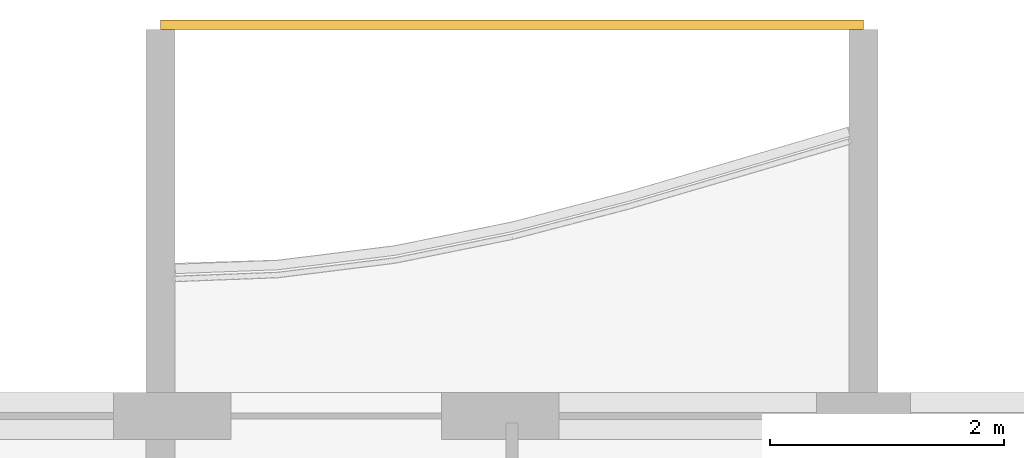
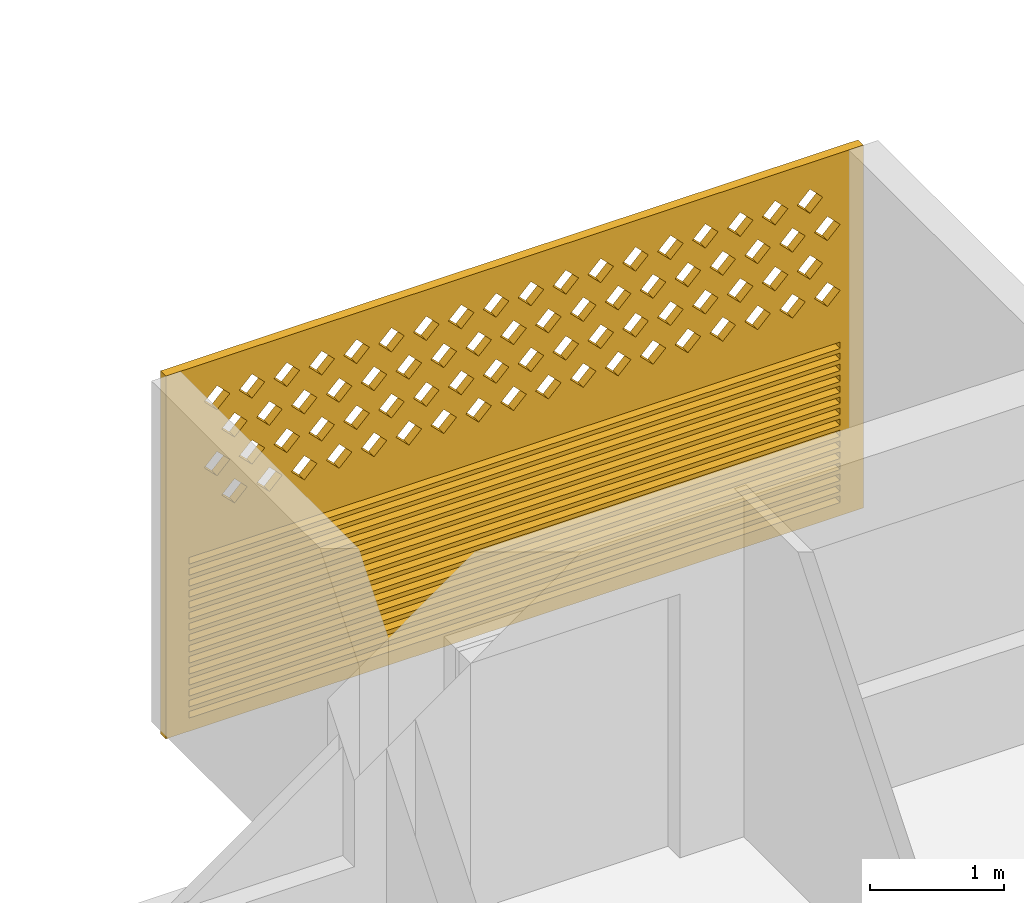
# One storey, part 23 of 27: 1 covering.
"""IFC4 building model written with IfcOpenShell, lengths in metres."""

from ifc_helpers import new_model, si_unit, direction, frame, origin, place, context, subcontext, project, spatial, polyline, outline, extrude, source, transform, mapped, material, material_profile, profile_set, type_object, element, save


model = new_model("IFC4")

# Units and contexts
model_context = context("Model", 3, precision=1e-05, world=origin(), true_north=direction((0.0, 1.0)))
body_context = subcontext(model_context, "Body", "Model", "MODEL_VIEW")
ifc_project = project(units=[si_unit("LENGTHUNIT", "METRE"), si_unit("AREAUNIT", "SQUARE_METRE"), si_unit("VOLUMEUNIT", "CUBIC_METRE"), si_unit("PLANEANGLEUNIT", "RADIAN"), si_unit("MASSUNIT", "GRAM", prefix="KILO")], contexts=[model_context])

# Site, building, storey
site_placement = place(None, origin())
site = spatial("IfcSite", under=ifc_project, at=site_placement, CompositionType="ELEMENT")
building_placement = place(site_placement, origin())
building = spatial("IfcBuilding", under=site, at=building_placement, Name="Poui Terraces", CompositionType="ELEMENT")
storey_placement = place(building_placement, frame((0.0, 0.0, 195.0)))
storey = spatial("IfcBuildingStorey", under=building, at=storey_placement, Name="L54", CompositionType="ELEMENT", Elevation=195.0)

# Covering
ifc_material = material(Name="Terracotta screen", Category="masonry")
ifc_material_profile = material_profile(ifc_material, outline(polyline([(-3.0, -1.64990234375), (3.0, -1.64990234375), (3.0, 1.64990234375), (-3.0, 1.64990234375), (-3.0, -1.64990234375)]), holes=[polyline([(-2.800048828125, 0.39990234375), (-2.68994140625, 0.2900390625), (-2.580078125, 0.39990234375), (-2.68994140625, 0.510009765625), (-2.800048828125, 0.39990234375)]), polyline([(-2.5, 0.39990234375), (-2.389892578125, 0.2900390625), (-2.280029296875, 0.39990234375), (-2.389892578125, 0.510009765625), (-2.5, 0.39990234375)]), polyline([(-2.199951171875, 0.39990234375), (-2.090087890625, 0.2900390625), (-1.97998046875, 0.39990234375), (-2.090087890625, 0.510009765625), (-2.199951171875, 0.39990234375)]), polyline([(-1.89990234375, 0.39990234375), (-1.7900390625, 0.2900390625), (-1.679931640625, 0.39990234375), (-1.7900390625, 0.510009765625), (-1.89990234375, 0.39990234375)]), polyline([(-1.60009765625, 0.39990234375), (-1.489990234375, 0.2900390625), (-1.3798828125, 0.39990234375), (-1.489990234375, 0.510009765625), (-1.60009765625, 0.39990234375)]), polyline([(-1.300048828125, 0.39990234375), (-1.18994140625, 0.2900390625), (-1.080078125, 0.39990234375), (-1.18994140625, 0.510009765625), (-1.300048828125, 0.39990234375)]), polyline([(-1.0, 0.39990234375), (-0.889892578125, 0.2900390625), (-0.780029296875, 0.39990234375), (-0.889892578125, 0.510009765625), (-1.0, 0.39990234375)]), polyline([(-0.699951171875, 0.39990234375), (-0.590087890625, 0.2900390625), (-0.47998046875, 0.39990234375), (-0.590087890625, 0.510009765625), (-0.699951171875, 0.39990234375)]), polyline([(-0.39990234375, 0.39990234375), (-0.2900390625, 0.2900390625), (-0.179931640625, 0.39990234375), (-0.2900390625, 0.510009765625), (-0.39990234375, 0.39990234375)]), polyline([(-0.10009765625, 0.39990234375), (0.010009765625, 0.2900390625), (0.1201171875, 0.39990234375), (0.010009765625, 0.510009765625), (-0.10009765625, 0.39990234375)]), polyline([(0.199951171875, 0.39990234375), (0.31005859375, 0.2900390625), (0.419921875, 0.39990234375), (0.31005859375, 0.510009765625), (0.199951171875, 0.39990234375)]), polyline([(0.5, 0.39990234375), (0.610107421875, 0.2900390625), (0.719970703125, 0.39990234375), (0.610107421875, 0.510009765625), (0.5, 0.39990234375)]), polyline([(0.800048828125, 0.39990234375), (0.909912109375, 0.2900390625), (1.02001953125, 0.39990234375), (0.909912109375, 0.510009765625), (0.800048828125, 0.39990234375)]), polyline([(1.10009765625, 0.39990234375), (1.2099609375, 0.2900390625), (1.320068359375, 0.39990234375), (1.2099609375, 0.510009765625), (1.10009765625, 0.39990234375)]), polyline([(1.39990234375, 0.39990234375), (1.510009765625, 0.2900390625), (1.6201171875, 0.39990234375), (1.510009765625, 0.510009765625), (1.39990234375, 0.39990234375)]), polyline([(1.699951171875, 0.39990234375), (1.81005859375, 0.2900390625), (1.919921875, 0.39990234375), (1.81005859375, 0.510009765625), (1.699951171875, 0.39990234375)]), polyline([(2.0, 0.39990234375), (2.110107421875, 0.2900390625), (2.219970703125, 0.39990234375), (2.110107421875, 0.510009765625), (2.0, 0.39990234375)]), polyline([(2.300048828125, 0.39990234375), (2.409912109375, 0.2900390625), (2.52001953125, 0.39990234375), (2.409912109375, 0.510009765625), (2.300048828125, 0.39990234375)]), polyline([(-2.64990234375, 0.699951171875), (-2.5400390625, 0.590087890625), (-2.429931640625, 0.699951171875), (-2.5400390625, 0.81005859375), (-2.64990234375, 0.699951171875)]), polyline([(-2.35009765625, 0.699951171875), (-2.239990234375, 0.590087890625), (-2.1298828125, 0.699951171875), (-2.239990234375, 0.81005859375), (-2.35009765625, 0.699951171875)]), polyline([(-2.050048828125, 0.699951171875), (-1.93994140625, 0.590087890625), (-1.830078125, 0.699951171875), (-1.93994140625, 0.81005859375), (-2.050048828125, 0.699951171875)]), polyline([(-1.75, 0.699951171875), (-1.639892578125, 0.590087890625), (-1.530029296875, 0.699951171875), (-1.639892578125, 0.81005859375), (-1.75, 0.699951171875)]), polyline([(-1.449951171875, 0.699951171875), (-1.340087890625, 0.590087890625), (-1.22998046875, 0.699951171875), (-1.340087890625, 0.81005859375), (-1.449951171875, 0.699951171875)]), polyline([(-1.14990234375, 0.699951171875), (-1.0400390625, 0.590087890625), (-0.929931640625, 0.699951171875), (-1.0400390625, 0.81005859375), (-1.14990234375, 0.699951171875)]), polyline([(-0.85009765625, 0.699951171875), (-0.739990234375, 0.590087890625), (-0.6298828125, 0.699951171875), (-0.739990234375, 0.81005859375), (-0.85009765625, 0.699951171875)]), polyline([(-0.550048828125, 0.699951171875), (-0.43994140625, 0.590087890625), (-0.330078125, 0.699951171875), (-0.43994140625, 0.81005859375), (-0.550048828125, 0.699951171875)]), polyline([(-0.25, 0.699951171875), (-0.139892578125, 0.590087890625), (-0.030029296875, 0.699951171875), (-0.139892578125, 0.81005859375), (-0.25, 0.699951171875)]), polyline([(0.050048828125, 0.699951171875), (0.159912109375, 0.590087890625), (0.27001953125, 0.699951171875), (0.159912109375, 0.81005859375), (0.050048828125, 0.699951171875)]), polyline([(0.35009765625, 0.699951171875), (0.4599609375, 0.590087890625), (0.570068359375, 0.699951171875), (0.4599609375, 0.81005859375), (0.35009765625, 0.699951171875)]), polyline([(0.64990234375, 0.699951171875), (0.760009765625, 0.590087890625), (0.8701171875, 0.699951171875), (0.760009765625, 0.81005859375), (0.64990234375, 0.699951171875)]), polyline([(0.949951171875, 0.699951171875), (1.06005859375, 0.590087890625), (1.169921875, 0.699951171875), (1.06005859375, 0.81005859375), (0.949951171875, 0.699951171875)]), polyline([(1.25, 0.699951171875), (1.360107421875, 0.590087890625), (1.469970703125, 0.699951171875), (1.360107421875, 0.81005859375), (1.25, 0.699951171875)]), polyline([(1.550048828125, 0.699951171875), (1.659912109375, 0.590087890625), (1.77001953125, 0.699951171875), (1.659912109375, 0.81005859375), (1.550048828125, 0.699951171875)]), polyline([(1.85009765625, 0.699951171875), (1.9599609375, 0.590087890625), (2.070068359375, 0.699951171875), (1.9599609375, 0.81005859375), (1.85009765625, 0.699951171875)]), polyline([(2.14990234375, 0.699951171875), (2.260009765625, 0.590087890625), (2.3701171875, 0.699951171875), (2.260009765625, 0.81005859375), (2.14990234375, 0.699951171875)]), polyline([(2.449951171875, 0.699951171875), (2.56005859375, 0.590087890625), (2.669921875, 0.699951171875), (2.56005859375, 0.81005859375), (2.449951171875, 0.699951171875)]), polyline([(-2.800048828125, 1.0), (-2.68994140625, 0.889892578125), (-2.580078125, 1.0), (-2.68994140625, 1.110107421875), (-2.800048828125, 1.0)]), polyline([(-2.5, 1.0), (-2.389892578125, 0.889892578125), (-2.280029296875, 1.0), (-2.389892578125, 1.110107421875), (-2.5, 1.0)]), polyline([(-2.199951171875, 1.0), (-2.090087890625, 0.889892578125), (-1.97998046875, 1.0), (-2.090087890625, 1.110107421875), (-2.199951171875, 1.0)]), polyline([(-1.89990234375, 1.0), (-1.7900390625, 0.889892578125), (-1.679931640625, 1.0), (-1.7900390625, 1.110107421875), (-1.89990234375, 1.0)]), polyline([(-1.60009765625, 1.0), (-1.489990234375, 0.889892578125), (-1.3798828125, 1.0), (-1.489990234375, 1.110107421875), (-1.60009765625, 1.0)]), polyline([(-1.300048828125, 1.0), (-1.18994140625, 0.889892578125), (-1.080078125, 1.0), (-1.18994140625, 1.110107421875), (-1.300048828125, 1.0)]), polyline([(-1.0, 1.0), (-0.889892578125, 0.889892578125), (-0.780029296875, 1.0), (-0.889892578125, 1.110107421875), (-1.0, 1.0)]), polyline([(-0.699951171875, 1.0), (-0.590087890625, 0.889892578125), (-0.47998046875, 1.0), (-0.590087890625, 1.110107421875), (-0.699951171875, 1.0)]), polyline([(-0.39990234375, 1.0), (-0.2900390625, 0.889892578125), (-0.179931640625, 1.0), (-0.2900390625, 1.110107421875), (-0.39990234375, 1.0)]), polyline([(-0.10009765625, 1.0), (0.010009765625, 0.889892578125), (0.1201171875, 1.0), (0.010009765625, 1.110107421875), (-0.10009765625, 1.0)]), polyline([(0.199951171875, 1.0), (0.31005859375, 0.889892578125), (0.419921875, 1.0), (0.31005859375, 1.110107421875), (0.199951171875, 1.0)]), polyline([(0.5, 1.0), (0.610107421875, 0.889892578125), (0.719970703125, 1.0), (0.610107421875, 1.110107421875), (0.5, 1.0)]), polyline([(0.800048828125, 1.0), (0.909912109375, 0.889892578125), (1.02001953125, 1.0), (0.909912109375, 1.110107421875), (0.800048828125, 1.0)]), polyline([(1.10009765625, 1.0), (1.2099609375, 0.889892578125), (1.320068359375, 1.0), (1.2099609375, 1.110107421875), (1.10009765625, 1.0)]), polyline([(1.39990234375, 1.0), (1.510009765625, 0.889892578125), (1.6201171875, 1.0), (1.510009765625, 1.110107421875), (1.39990234375, 1.0)]), polyline([(1.699951171875, 1.0), (1.81005859375, 0.889892578125), (1.919921875, 1.0), (1.81005859375, 1.110107421875), (1.699951171875, 1.0)]), polyline([(2.0, 1.0), (2.110107421875, 0.889892578125), (2.219970703125, 1.0), (2.110107421875, 1.110107421875), (2.0, 1.0)]), polyline([(2.300048828125, 1.0), (2.409912109375, 0.889892578125), (2.52001953125, 1.0), (2.409912109375, 1.110107421875), (2.300048828125, 1.0)]), polyline([(-2.64990234375, 1.300048828125), (-2.5400390625, 1.18994140625), (-2.429931640625, 1.300048828125), (-2.5400390625, 1.409912109375), (-2.64990234375, 1.300048828125)]), polyline([(-2.35009765625, 1.300048828125), (-2.239990234375, 1.18994140625), (-2.1298828125, 1.300048828125), (-2.239990234375, 1.409912109375), (-2.35009765625, 1.300048828125)]), polyline([(-2.050048828125, 1.300048828125), (-1.93994140625, 1.18994140625), (-1.830078125, 1.300048828125), (-1.93994140625, 1.409912109375), (-2.050048828125, 1.300048828125)]), polyline([(-1.75, 1.300048828125), (-1.639892578125, 1.18994140625), (-1.530029296875, 1.300048828125), (-1.639892578125, 1.409912109375), (-1.75, 1.300048828125)]), polyline([(-1.449951171875, 1.300048828125), (-1.340087890625, 1.18994140625), (-1.22998046875, 1.300048828125), (-1.340087890625, 1.409912109375), (-1.449951171875, 1.300048828125)]), polyline([(-1.14990234375, 1.300048828125), (-1.0400390625, 1.18994140625), (-0.929931640625, 1.300048828125), (-1.0400390625, 1.409912109375), (-1.14990234375, 1.300048828125)]), polyline([(-0.85009765625, 1.300048828125), (-0.739990234375, 1.18994140625), (-0.6298828125, 1.300048828125), (-0.739990234375, 1.409912109375), (-0.85009765625, 1.300048828125)]), polyline([(-0.550048828125, 1.300048828125), (-0.43994140625, 1.18994140625), (-0.330078125, 1.300048828125), (-0.43994140625, 1.409912109375), (-0.550048828125, 1.300048828125)]), polyline([(-0.25, 1.300048828125), (-0.139892578125, 1.18994140625), (-0.030029296875, 1.300048828125), (-0.139892578125, 1.409912109375), (-0.25, 1.300048828125)]), polyline([(0.050048828125, 1.300048828125), (0.159912109375, 1.18994140625), (0.27001953125, 1.300048828125), (0.159912109375, 1.409912109375), (0.050048828125, 1.300048828125)]), polyline([(0.35009765625, 1.300048828125), (0.4599609375, 1.18994140625), (0.570068359375, 1.300048828125), (0.4599609375, 1.409912109375), (0.35009765625, 1.300048828125)]), polyline([(0.64990234375, 1.300048828125), (0.760009765625, 1.18994140625), (0.8701171875, 1.300048828125), (0.760009765625, 1.409912109375), (0.64990234375, 1.300048828125)]), polyline([(0.949951171875, 1.300048828125), (1.06005859375, 1.18994140625), (1.169921875, 1.300048828125), (1.06005859375, 1.409912109375), (0.949951171875, 1.300048828125)]), polyline([(1.25, 1.300048828125), (1.360107421875, 1.18994140625), (1.469970703125, 1.300048828125), (1.360107421875, 1.409912109375), (1.25, 1.300048828125)]), polyline([(1.550048828125, 1.300048828125), (1.659912109375, 1.18994140625), (1.77001953125, 1.300048828125), (1.659912109375, 1.409912109375), (1.550048828125, 1.300048828125)]), polyline([(1.85009765625, 1.300048828125), (1.9599609375, 1.18994140625), (2.070068359375, 1.300048828125), (1.9599609375, 1.409912109375), (1.85009765625, 1.300048828125)]), polyline([(2.14990234375, 1.300048828125), (2.260009765625, 1.18994140625), (2.3701171875, 1.300048828125), (2.260009765625, 1.409912109375), (2.14990234375, 1.300048828125)]), polyline([(2.449951171875, 1.300048828125), (2.56005859375, 1.18994140625), (2.669921875, 1.300048828125), (2.56005859375, 1.409912109375), (2.449951171875, 1.300048828125)]), polyline([(-2.800048828125, -1.530029296875), (2.800048828125, -1.530029296875), (2.800048828125, -1.469970703125), (-2.800048828125, -1.469970703125), (-2.800048828125, -1.530029296875)]), polyline([(-2.800048828125, -1.429931640625), (2.800048828125, -1.429931640625), (2.800048828125, -1.3701171875), (-2.800048828125, -1.3701171875), (-2.800048828125, -1.429931640625)]), polyline([(-2.800048828125, -1.330078125), (2.800048828125, -1.330078125), (2.800048828125, -1.27001953125), (-2.800048828125, -1.27001953125), (-2.800048828125, -1.330078125)]), polyline([(-2.800048828125, -1.22998046875), (2.800048828125, -1.22998046875), (2.800048828125, -1.169921875), (-2.800048828125, -1.169921875), (-2.800048828125, -1.22998046875)]), polyline([(-2.800048828125, -1.1298828125), (2.800048828125, -1.1298828125), (2.800048828125, -1.070068359375), (-2.800048828125, -1.070068359375), (-2.800048828125, -1.1298828125)]), polyline([(-2.800048828125, -1.030029296875), (2.800048828125, -1.030029296875), (2.800048828125, -0.969970703125), (-2.800048828125, -0.969970703125), (-2.800048828125, -1.030029296875)]), polyline([(-2.800048828125, -0.929931640625), (2.800048828125, -0.929931640625), (2.800048828125, -0.8701171875), (-2.800048828125, -0.8701171875), (-2.800048828125, -0.929931640625)]), polyline([(-2.800048828125, -0.830078125), (2.800048828125, -0.830078125), (2.800048828125, -0.77001953125), (-2.800048828125, -0.77001953125), (-2.800048828125, -0.830078125)]), polyline([(-2.800048828125, -0.72998046875), (2.800048828125, -0.72998046875), (2.800048828125, -0.669921875), (-2.800048828125, -0.669921875), (-2.800048828125, -0.72998046875)]), polyline([(-2.800048828125, -0.6298828125), (2.800048828125, -0.6298828125), (2.800048828125, -0.570068359375), (-2.800048828125, -0.570068359375), (-2.800048828125, -0.6298828125)]), polyline([(-2.800048828125, -0.530029296875), (2.800048828125, -0.530029296875), (2.800048828125, -0.469970703125), (-2.800048828125, -0.469970703125), (-2.800048828125, -0.530029296875)]), polyline([(-2.800048828125, -0.429931640625), (2.800048828125, -0.429931640625), (2.800048828125, -0.3701171875), (-2.800048828125, -0.3701171875), (-2.800048828125, -0.429931640625)]), polyline([(-2.800048828125, -0.330078125), (2.800048828125, -0.330078125), (2.800048828125, -0.27001953125), (-2.800048828125, -0.27001953125), (-2.800048828125, -0.330078125)]), polyline([(-2.800048828125, -0.22998046875), (2.800048828125, -0.22998046875), (2.800048828125, -0.169921875), (-2.800048828125, -0.169921875), (-2.800048828125, -0.22998046875)]), polyline([(-2.800048828125, -0.1298828125), (2.800048828125, -0.1298828125), (2.800048828125, -0.070068359375), (-2.800048828125, -0.070068359375), (-2.800048828125, -0.1298828125)])]), Name="TERRACOTTA SCREEN AND JALOUSIE LOUVRE 6000X3300")
ifc_profile_set = profile_set([ifc_material_profile], Name="Terracotta screen")
covering_type = type_object("IfcCoveringType", Name="TERRACOTTA SCREEN AND JALOUSIE LOUVRE 6000X3300", PredefinedType="CLADDING", material=ifc_profile_set)
shared_shape = source(origin(), body_context, "Body", "SweptSolid", [
    extrude(outline(polyline([(-3.0, -1.64990234375), (3.0, -1.64990234375), (3.0, 1.64990234375), (-3.0, 1.64990234375), (-3.0, -1.64990234375)]), holes=[polyline([(-2.800048828125, 0.39990234375), (-2.68994140625, 0.2900390625), (-2.580078125, 0.39990234375), (-2.68994140625, 0.510009765625), (-2.800048828125, 0.39990234375)]), polyline([(-2.5, 0.39990234375), (-2.389892578125, 0.2900390625), (-2.280029296875, 0.39990234375), (-2.389892578125, 0.510009765625), (-2.5, 0.39990234375)]), polyline([(-2.199951171875, 0.39990234375), (-2.090087890625, 0.2900390625), (-1.97998046875, 0.39990234375), (-2.090087890625, 0.510009765625), (-2.199951171875, 0.39990234375)]), polyline([(-1.89990234375, 0.39990234375), (-1.7900390625, 0.2900390625), (-1.679931640625, 0.39990234375), (-1.7900390625, 0.510009765625), (-1.89990234375, 0.39990234375)]), polyline([(-1.60009765625, 0.39990234375), (-1.489990234375, 0.2900390625), (-1.3798828125, 0.39990234375), (-1.489990234375, 0.510009765625), (-1.60009765625, 0.39990234375)]), polyline([(-1.300048828125, 0.39990234375), (-1.18994140625, 0.2900390625), (-1.080078125, 0.39990234375), (-1.18994140625, 0.510009765625), (-1.300048828125, 0.39990234375)]), polyline([(-1.0, 0.39990234375), (-0.889892578125, 0.2900390625), (-0.780029296875, 0.39990234375), (-0.889892578125, 0.510009765625), (-1.0, 0.39990234375)]), polyline([(-0.699951171875, 0.39990234375), (-0.590087890625, 0.2900390625), (-0.47998046875, 0.39990234375), (-0.590087890625, 0.510009765625), (-0.699951171875, 0.39990234375)]), polyline([(-0.39990234375, 0.39990234375), (-0.2900390625, 0.2900390625), (-0.179931640625, 0.39990234375), (-0.2900390625, 0.510009765625), (-0.39990234375, 0.39990234375)]), polyline([(-0.10009765625, 0.39990234375), (0.010009765625, 0.2900390625), (0.1201171875, 0.39990234375), (0.010009765625, 0.510009765625), (-0.10009765625, 0.39990234375)]), polyline([(0.199951171875, 0.39990234375), (0.31005859375, 0.2900390625), (0.419921875, 0.39990234375), (0.31005859375, 0.510009765625), (0.199951171875, 0.39990234375)]), polyline([(0.5, 0.39990234375), (0.610107421875, 0.2900390625), (0.719970703125, 0.39990234375), (0.610107421875, 0.510009765625), (0.5, 0.39990234375)]), polyline([(0.800048828125, 0.39990234375), (0.909912109375, 0.2900390625), (1.02001953125, 0.39990234375), (0.909912109375, 0.510009765625), (0.800048828125, 0.39990234375)]), polyline([(1.10009765625, 0.39990234375), (1.2099609375, 0.2900390625), (1.320068359375, 0.39990234375), (1.2099609375, 0.510009765625), (1.10009765625, 0.39990234375)]), polyline([(1.39990234375, 0.39990234375), (1.510009765625, 0.2900390625), (1.6201171875, 0.39990234375), (1.510009765625, 0.510009765625), (1.39990234375, 0.39990234375)]), polyline([(1.699951171875, 0.39990234375), (1.81005859375, 0.2900390625), (1.919921875, 0.39990234375), (1.81005859375, 0.510009765625), (1.699951171875, 0.39990234375)]), polyline([(2.0, 0.39990234375), (2.110107421875, 0.2900390625), (2.219970703125, 0.39990234375), (2.110107421875, 0.510009765625), (2.0, 0.39990234375)]), polyline([(2.300048828125, 0.39990234375), (2.409912109375, 0.2900390625), (2.52001953125, 0.39990234375), (2.409912109375, 0.510009765625), (2.300048828125, 0.39990234375)]), polyline([(-2.64990234375, 0.699951171875), (-2.5400390625, 0.590087890625), (-2.429931640625, 0.699951171875), (-2.5400390625, 0.81005859375), (-2.64990234375, 0.699951171875)]), polyline([(-2.35009765625, 0.699951171875), (-2.239990234375, 0.590087890625), (-2.1298828125, 0.699951171875), (-2.239990234375, 0.81005859375), (-2.35009765625, 0.699951171875)]), polyline([(-2.050048828125, 0.699951171875), (-1.93994140625, 0.590087890625), (-1.830078125, 0.699951171875), (-1.93994140625, 0.81005859375), (-2.050048828125, 0.699951171875)]), polyline([(-1.75, 0.699951171875), (-1.639892578125, 0.590087890625), (-1.530029296875, 0.699951171875), (-1.639892578125, 0.81005859375), (-1.75, 0.699951171875)]), polyline([(-1.449951171875, 0.699951171875), (-1.340087890625, 0.590087890625), (-1.22998046875, 0.699951171875), (-1.340087890625, 0.81005859375), (-1.449951171875, 0.699951171875)]), polyline([(-1.14990234375, 0.699951171875), (-1.0400390625, 0.590087890625), (-0.929931640625, 0.699951171875), (-1.0400390625, 0.81005859375), (-1.14990234375, 0.699951171875)]), polyline([(-0.85009765625, 0.699951171875), (-0.739990234375, 0.590087890625), (-0.6298828125, 0.699951171875), (-0.739990234375, 0.81005859375), (-0.85009765625, 0.699951171875)]), polyline([(-0.550048828125, 0.699951171875), (-0.43994140625, 0.590087890625), (-0.330078125, 0.699951171875), (-0.43994140625, 0.81005859375), (-0.550048828125, 0.699951171875)]), polyline([(-0.25, 0.699951171875), (-0.139892578125, 0.590087890625), (-0.030029296875, 0.699951171875), (-0.139892578125, 0.81005859375), (-0.25, 0.699951171875)]), polyline([(0.050048828125, 0.699951171875), (0.159912109375, 0.590087890625), (0.27001953125, 0.699951171875), (0.159912109375, 0.81005859375), (0.050048828125, 0.699951171875)]), polyline([(0.35009765625, 0.699951171875), (0.4599609375, 0.590087890625), (0.570068359375, 0.699951171875), (0.4599609375, 0.81005859375), (0.35009765625, 0.699951171875)]), polyline([(0.64990234375, 0.699951171875), (0.760009765625, 0.590087890625), (0.8701171875, 0.699951171875), (0.760009765625, 0.81005859375), (0.64990234375, 0.699951171875)]), polyline([(0.949951171875, 0.699951171875), (1.06005859375, 0.590087890625), (1.169921875, 0.699951171875), (1.06005859375, 0.81005859375), (0.949951171875, 0.699951171875)]), polyline([(1.25, 0.699951171875), (1.360107421875, 0.590087890625), (1.469970703125, 0.699951171875), (1.360107421875, 0.81005859375), (1.25, 0.699951171875)]), polyline([(1.550048828125, 0.699951171875), (1.659912109375, 0.590087890625), (1.77001953125, 0.699951171875), (1.659912109375, 0.81005859375), (1.550048828125, 0.699951171875)]), polyline([(1.85009765625, 0.699951171875), (1.9599609375, 0.590087890625), (2.070068359375, 0.699951171875), (1.9599609375, 0.81005859375), (1.85009765625, 0.699951171875)]), polyline([(2.14990234375, 0.699951171875), (2.260009765625, 0.590087890625), (2.3701171875, 0.699951171875), (2.260009765625, 0.81005859375), (2.14990234375, 0.699951171875)]), polyline([(2.449951171875, 0.699951171875), (2.56005859375, 0.590087890625), (2.669921875, 0.699951171875), (2.56005859375, 0.81005859375), (2.449951171875, 0.699951171875)]), polyline([(-2.800048828125, 1.0), (-2.68994140625, 0.889892578125), (-2.580078125, 1.0), (-2.68994140625, 1.110107421875), (-2.800048828125, 1.0)]), polyline([(-2.5, 1.0), (-2.389892578125, 0.889892578125), (-2.280029296875, 1.0), (-2.389892578125, 1.110107421875), (-2.5, 1.0)]), polyline([(-2.199951171875, 1.0), (-2.090087890625, 0.889892578125), (-1.97998046875, 1.0), (-2.090087890625, 1.110107421875), (-2.199951171875, 1.0)]), polyline([(-1.89990234375, 1.0), (-1.7900390625, 0.889892578125), (-1.679931640625, 1.0), (-1.7900390625, 1.110107421875), (-1.89990234375, 1.0)]), polyline([(-1.60009765625, 1.0), (-1.489990234375, 0.889892578125), (-1.3798828125, 1.0), (-1.489990234375, 1.110107421875), (-1.60009765625, 1.0)]), polyline([(-1.300048828125, 1.0), (-1.18994140625, 0.889892578125), (-1.080078125, 1.0), (-1.18994140625, 1.110107421875), (-1.300048828125, 1.0)]), polyline([(-1.0, 1.0), (-0.889892578125, 0.889892578125), (-0.780029296875, 1.0), (-0.889892578125, 1.110107421875), (-1.0, 1.0)]), polyline([(-0.699951171875, 1.0), (-0.590087890625, 0.889892578125), (-0.47998046875, 1.0), (-0.590087890625, 1.110107421875), (-0.699951171875, 1.0)]), polyline([(-0.39990234375, 1.0), (-0.2900390625, 0.889892578125), (-0.179931640625, 1.0), (-0.2900390625, 1.110107421875), (-0.39990234375, 1.0)]), polyline([(-0.10009765625, 1.0), (0.010009765625, 0.889892578125), (0.1201171875, 1.0), (0.010009765625, 1.110107421875), (-0.10009765625, 1.0)]), polyline([(0.199951171875, 1.0), (0.31005859375, 0.889892578125), (0.419921875, 1.0), (0.31005859375, 1.110107421875), (0.199951171875, 1.0)]), polyline([(0.5, 1.0), (0.610107421875, 0.889892578125), (0.719970703125, 1.0), (0.610107421875, 1.110107421875), (0.5, 1.0)]), polyline([(0.800048828125, 1.0), (0.909912109375, 0.889892578125), (1.02001953125, 1.0), (0.909912109375, 1.110107421875), (0.800048828125, 1.0)]), polyline([(1.10009765625, 1.0), (1.2099609375, 0.889892578125), (1.320068359375, 1.0), (1.2099609375, 1.110107421875), (1.10009765625, 1.0)]), polyline([(1.39990234375, 1.0), (1.510009765625, 0.889892578125), (1.6201171875, 1.0), (1.510009765625, 1.110107421875), (1.39990234375, 1.0)]), polyline([(1.699951171875, 1.0), (1.81005859375, 0.889892578125), (1.919921875, 1.0), (1.81005859375, 1.110107421875), (1.699951171875, 1.0)]), polyline([(2.0, 1.0), (2.110107421875, 0.889892578125), (2.219970703125, 1.0), (2.110107421875, 1.110107421875), (2.0, 1.0)]), polyline([(2.300048828125, 1.0), (2.409912109375, 0.889892578125), (2.52001953125, 1.0), (2.409912109375, 1.110107421875), (2.300048828125, 1.0)]), polyline([(-2.64990234375, 1.300048828125), (-2.5400390625, 1.18994140625), (-2.429931640625, 1.300048828125), (-2.5400390625, 1.409912109375), (-2.64990234375, 1.300048828125)]), polyline([(-2.35009765625, 1.300048828125), (-2.239990234375, 1.18994140625), (-2.1298828125, 1.300048828125), (-2.239990234375, 1.409912109375), (-2.35009765625, 1.300048828125)]), polyline([(-2.050048828125, 1.300048828125), (-1.93994140625, 1.18994140625), (-1.830078125, 1.300048828125), (-1.93994140625, 1.409912109375), (-2.050048828125, 1.300048828125)]), polyline([(-1.75, 1.300048828125), (-1.639892578125, 1.18994140625), (-1.530029296875, 1.300048828125), (-1.639892578125, 1.409912109375), (-1.75, 1.300048828125)]), polyline([(-1.449951171875, 1.300048828125), (-1.340087890625, 1.18994140625), (-1.22998046875, 1.300048828125), (-1.340087890625, 1.409912109375), (-1.449951171875, 1.300048828125)]), polyline([(-1.14990234375, 1.300048828125), (-1.0400390625, 1.18994140625), (-0.929931640625, 1.300048828125), (-1.0400390625, 1.409912109375), (-1.14990234375, 1.300048828125)]), polyline([(-0.85009765625, 1.300048828125), (-0.739990234375, 1.18994140625), (-0.6298828125, 1.300048828125), (-0.739990234375, 1.409912109375), (-0.85009765625, 1.300048828125)]), polyline([(-0.550048828125, 1.300048828125), (-0.43994140625, 1.18994140625), (-0.330078125, 1.300048828125), (-0.43994140625, 1.409912109375), (-0.550048828125, 1.300048828125)]), polyline([(-0.25, 1.300048828125), (-0.139892578125, 1.18994140625), (-0.030029296875, 1.300048828125), (-0.139892578125, 1.409912109375), (-0.25, 1.300048828125)]), polyline([(0.050048828125, 1.300048828125), (0.159912109375, 1.18994140625), (0.27001953125, 1.300048828125), (0.159912109375, 1.409912109375), (0.050048828125, 1.300048828125)]), polyline([(0.35009765625, 1.300048828125), (0.4599609375, 1.18994140625), (0.570068359375, 1.300048828125), (0.4599609375, 1.409912109375), (0.35009765625, 1.300048828125)]), polyline([(0.64990234375, 1.300048828125), (0.760009765625, 1.18994140625), (0.8701171875, 1.300048828125), (0.760009765625, 1.409912109375), (0.64990234375, 1.300048828125)]), polyline([(0.949951171875, 1.300048828125), (1.06005859375, 1.18994140625), (1.169921875, 1.300048828125), (1.06005859375, 1.409912109375), (0.949951171875, 1.300048828125)]), polyline([(1.25, 1.300048828125), (1.360107421875, 1.18994140625), (1.469970703125, 1.300048828125), (1.360107421875, 1.409912109375), (1.25, 1.300048828125)]), polyline([(1.550048828125, 1.300048828125), (1.659912109375, 1.18994140625), (1.77001953125, 1.300048828125), (1.659912109375, 1.409912109375), (1.550048828125, 1.300048828125)]), polyline([(1.85009765625, 1.300048828125), (1.9599609375, 1.18994140625), (2.070068359375, 1.300048828125), (1.9599609375, 1.409912109375), (1.85009765625, 1.300048828125)]), polyline([(2.14990234375, 1.300048828125), (2.260009765625, 1.18994140625), (2.3701171875, 1.300048828125), (2.260009765625, 1.409912109375), (2.14990234375, 1.300048828125)]), polyline([(2.449951171875, 1.300048828125), (2.56005859375, 1.18994140625), (2.669921875, 1.300048828125), (2.56005859375, 1.409912109375), (2.449951171875, 1.300048828125)]), polyline([(-2.800048828125, -1.530029296875), (2.800048828125, -1.530029296875), (2.800048828125, -1.469970703125), (-2.800048828125, -1.469970703125), (-2.800048828125, -1.530029296875)]), polyline([(-2.800048828125, -1.429931640625), (2.800048828125, -1.429931640625), (2.800048828125, -1.3701171875), (-2.800048828125, -1.3701171875), (-2.800048828125, -1.429931640625)]), polyline([(-2.800048828125, -1.330078125), (2.800048828125, -1.330078125), (2.800048828125, -1.27001953125), (-2.800048828125, -1.27001953125), (-2.800048828125, -1.330078125)]), polyline([(-2.800048828125, -1.22998046875), (2.800048828125, -1.22998046875), (2.800048828125, -1.169921875), (-2.800048828125, -1.169921875), (-2.800048828125, -1.22998046875)]), polyline([(-2.800048828125, -1.1298828125), (2.800048828125, -1.1298828125), (2.800048828125, -1.070068359375), (-2.800048828125, -1.070068359375), (-2.800048828125, -1.1298828125)]), polyline([(-2.800048828125, -1.030029296875), (2.800048828125, -1.030029296875), (2.800048828125, -0.969970703125), (-2.800048828125, -0.969970703125), (-2.800048828125, -1.030029296875)]), polyline([(-2.800048828125, -0.929931640625), (2.800048828125, -0.929931640625), (2.800048828125, -0.8701171875), (-2.800048828125, -0.8701171875), (-2.800048828125, -0.929931640625)]), polyline([(-2.800048828125, -0.830078125), (2.800048828125, -0.830078125), (2.800048828125, -0.77001953125), (-2.800048828125, -0.77001953125), (-2.800048828125, -0.830078125)]), polyline([(-2.800048828125, -0.72998046875), (2.800048828125, -0.72998046875), (2.800048828125, -0.669921875), (-2.800048828125, -0.669921875), (-2.800048828125, -0.72998046875)]), polyline([(-2.800048828125, -0.6298828125), (2.800048828125, -0.6298828125), (2.800048828125, -0.570068359375), (-2.800048828125, -0.570068359375), (-2.800048828125, -0.6298828125)]), polyline([(-2.800048828125, -0.530029296875), (2.800048828125, -0.530029296875), (2.800048828125, -0.469970703125), (-2.800048828125, -0.469970703125), (-2.800048828125, -0.530029296875)]), polyline([(-2.800048828125, -0.429931640625), (2.800048828125, -0.429931640625), (2.800048828125, -0.3701171875), (-2.800048828125, -0.3701171875), (-2.800048828125, -0.429931640625)]), polyline([(-2.800048828125, -0.330078125), (2.800048828125, -0.330078125), (2.800048828125, -0.27001953125), (-2.800048828125, -0.27001953125), (-2.800048828125, -0.330078125)]), polyline([(-2.800048828125, -0.22998046875), (2.800048828125, -0.22998046875), (2.800048828125, -0.169921875), (-2.800048828125, -0.169921875), (-2.800048828125, -0.22998046875)]), polyline([(-2.800048828125, -0.1298828125), (2.800048828125, -0.1298828125), (2.800048828125, -0.070068359375), (-2.800048828125, -0.070068359375), (-2.800048828125, -0.1298828125)])]), origin(), (0.0, 0.0, 1.0), 0.080078125),
])
covering_placement = place(storey_placement, frame((57.0, 44.5, 1.449951171875), z_axis=(0.0, 1.0, 0.0), x_axis=(-1.0, 0.0, 0.0)))
element("IfcCovering", 1, at=covering_placement, inside=storey, type_object=covering_type, Name="SOLAR SCREEN AND JALOUSIE LOUVRE", PredefinedType="CLADDING", context=body_context, shape_type="MappedRepresentation", body=[
    mapped(shared_shape, transform((0.0, 0.0, 0.0))),
])

save(model, "model.ifc")
